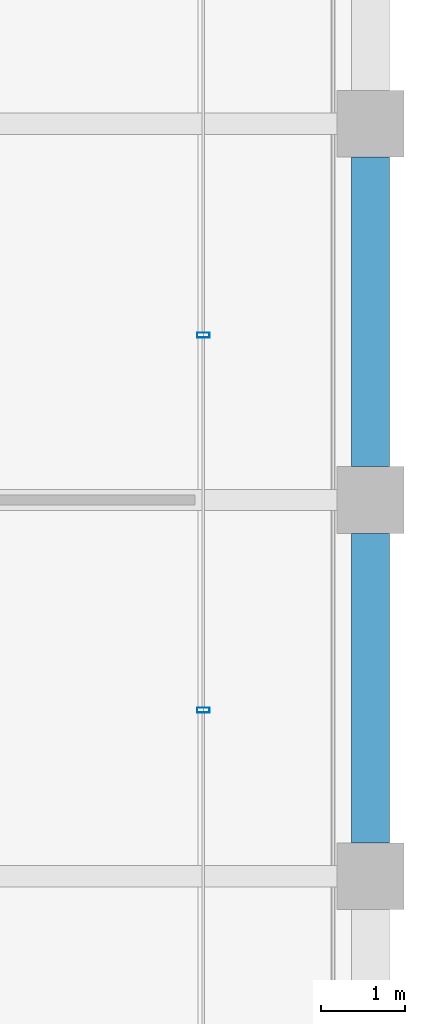
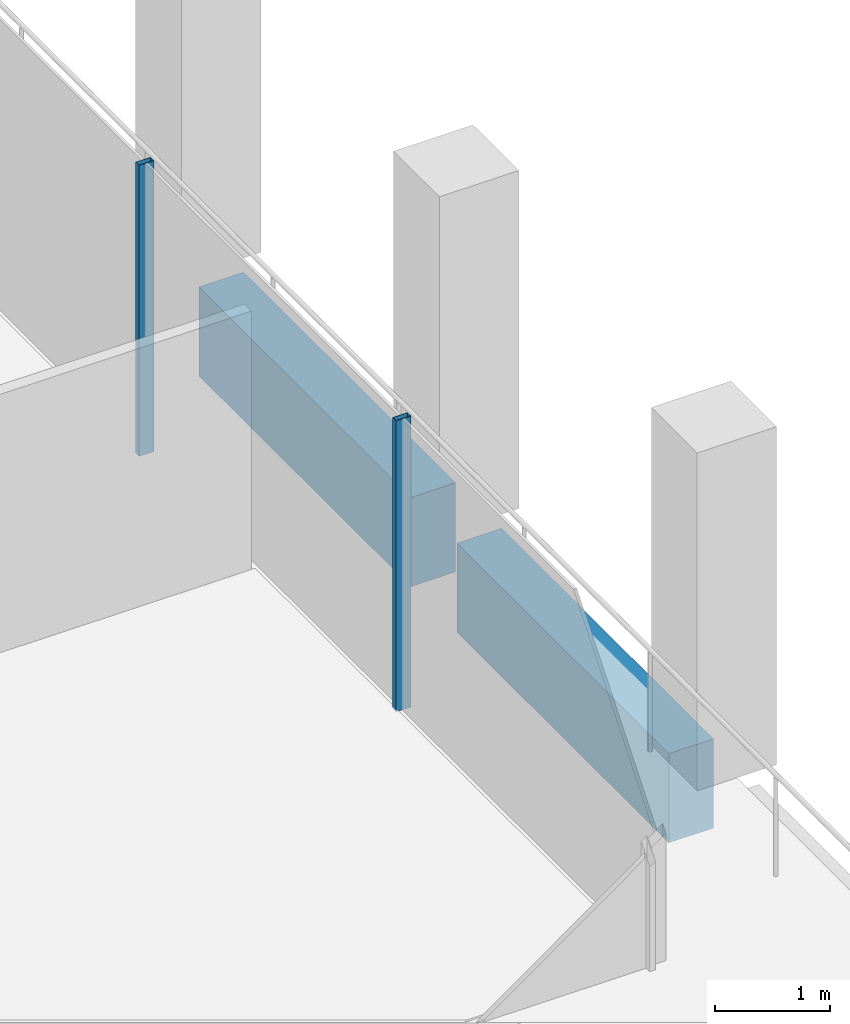
# One storey, part 15 of 30: 2 beams, 2 members, 1 element without a shape of its own.
"""IFC4 building model written with IfcOpenShell, lengths in metres."""

from ifc_helpers import new_model, si_unit, direction, frame, origin, origin_2d, place, context, subcontext, project, spatial, rectangle, hollow_rectangle, extrude, material, material_profile, profile_set, type_object, element, aggregate, save


model = new_model("IFC4")

# Units and contexts
model_context = context("Model", 3, precision=1e-05, world=origin(), true_north=direction((0.0, 1.0)))
body_context = subcontext(model_context, "Body", "Model", "MODEL_VIEW")
ifc_project = project(units=[si_unit("LENGTHUNIT", "METRE"), si_unit("AREAUNIT", "SQUARE_METRE"), si_unit("VOLUMEUNIT", "CUBIC_METRE"), si_unit("PLANEANGLEUNIT", "RADIAN"), si_unit("MASSUNIT", "GRAM", prefix="KILO")], contexts=[model_context])

# Site, building, storey
site_placement = place(None, origin())
site = spatial("IfcSite", under=ifc_project, at=site_placement, CompositionType="ELEMENT")
building_placement = place(site_placement, origin())
building = spatial("IfcBuilding", under=site, at=building_placement, Name="Altepetl Exchange Towers", CompositionType="ELEMENT")
storey_placement = place(building_placement, frame((0.0, 0.0, 228.0)))
storey = spatial("IfcBuildingStorey", under=building, at=storey_placement, Name="L58", CompositionType="ELEMENT", Elevation=228.0)

# Curtain wall, members
ifc_material_1 = material(Name="Aluminium 6063-T6 glazing", Category="aluminium")
curtain_wall_type = type_object("IfcCurtainWallType", Name="Loggia glazing system", PredefinedType="NOTDEFINED", material=ifc_material_1)
curtain_wall_placement = place(storey_placement, origin())
curtain_wall = element("IfcCurtainWall", 1, at=curtain_wall_placement, inside=storey, type_object=curtain_wall_type, Name="CW1 run", PredefinedType="NOTDEFINED")
ifc_material_2 = material(Name="Aluminium 6063-T6", Category="aluminium")
ifc_material_profile_1 = material_profile(ifc_material_2, hollow_rectangle(XDim=0.06005859375, YDim=0.14990234375, WallThickness=0.0029296875, at=origin_2d()), Name="Mullion 60x150 aluminium")
ifc_profile_set_1 = profile_set([ifc_material_profile_1], Name="Aluminium 6063-T6")
member_type = type_object("IfcMemberType", Name="Mullion 60x150 aluminium", PredefinedType="MULLION", material=ifc_profile_set_1)
member_1_placement = place(storey_placement, frame((70.0, 37.986083984375, 0.0), z_axis=(0.0, 0.0, 1.0), x_axis=(0.0, 1.0, 0.0)))
member_1 = element("IfcMember", 2, at=member_1_placement, type_object=member_type, Name="MU1 mullion", PredefinedType="MULLION", context=body_context, shape_type="SweptSolid", body=[
    extrude(hollow_rectangle(XDim=0.06005859375, YDim=0.14990234375, WallThickness=0.0029296875, at=origin_2d()), origin(), (0.0, 0.0, 1.0), 3.10009765625),
])
member_2_placement = place(storey_placement, frame((70.0, 42.471923828125, 0.0), z_axis=(0.0, 0.0, 1.0), x_axis=(0.0, 1.0, 0.0)))
member_2 = element("IfcMember", 3, at=member_2_placement, type_object=member_type, Name="MU1 mullion", PredefinedType="MULLION", context=body_context, shape_type="SweptSolid", body=[
    extrude(hollow_rectangle(XDim=0.06005859375, YDim=0.14990234375, WallThickness=0.0029296875, at=origin_2d()), origin(), (0.0, 0.0, 1.0), 3.10009765625),
])
aggregate(curtain_wall, [member_1, member_2])

# Beams
ifc_material_3 = material(Name="Concrete C50/60 precast with cantera amarilla facing", Category="concrete")
ifc_material_profile_2 = material_profile(ifc_material_3, rectangle(XDim=0.449951171875, YDim=0.949951171875, at=origin_2d()), Name="450 x 950")
ifc_profile_set_2 = profile_set([ifc_material_profile_2], Name="Concrete C50/60 precast with cantera amarilla facing")
beam_type = type_object("IfcBeamType", Name="Spandrel beam 450x950 cantera amarilla", PredefinedType="SPANDREL", material=ifc_profile_set_2)
for number, where, z_axis, x_axis, name in (
    (4, (72.0, 36.39990234375, -0.625), (0.0, 1.0, 0.0), (-1.0, 0.0, 0.0), "sp:A:L58:013"),
    (5, (72.0, 40.89990234375, -0.625), (0.0, 1.0, 0.0), (-1.0, 0.0, 0.0), "sp:A:L58:014"),
):
    element("IfcBeam", number, at=place(storey_placement, frame(where, z_axis=z_axis, x_axis=x_axis)), inside=storey, type_object=beam_type, Name=name, PredefinedType="SPANDREL", context=body_context, shape_type="SweptSolid", body=[
        extrude(rectangle(XDim=0.449951171875, YDim=0.949951171875, at=origin_2d()), origin(), (0.0, 0.0, 1.0), 3.7001953125),
    ])

save(model, "model.ifc")
